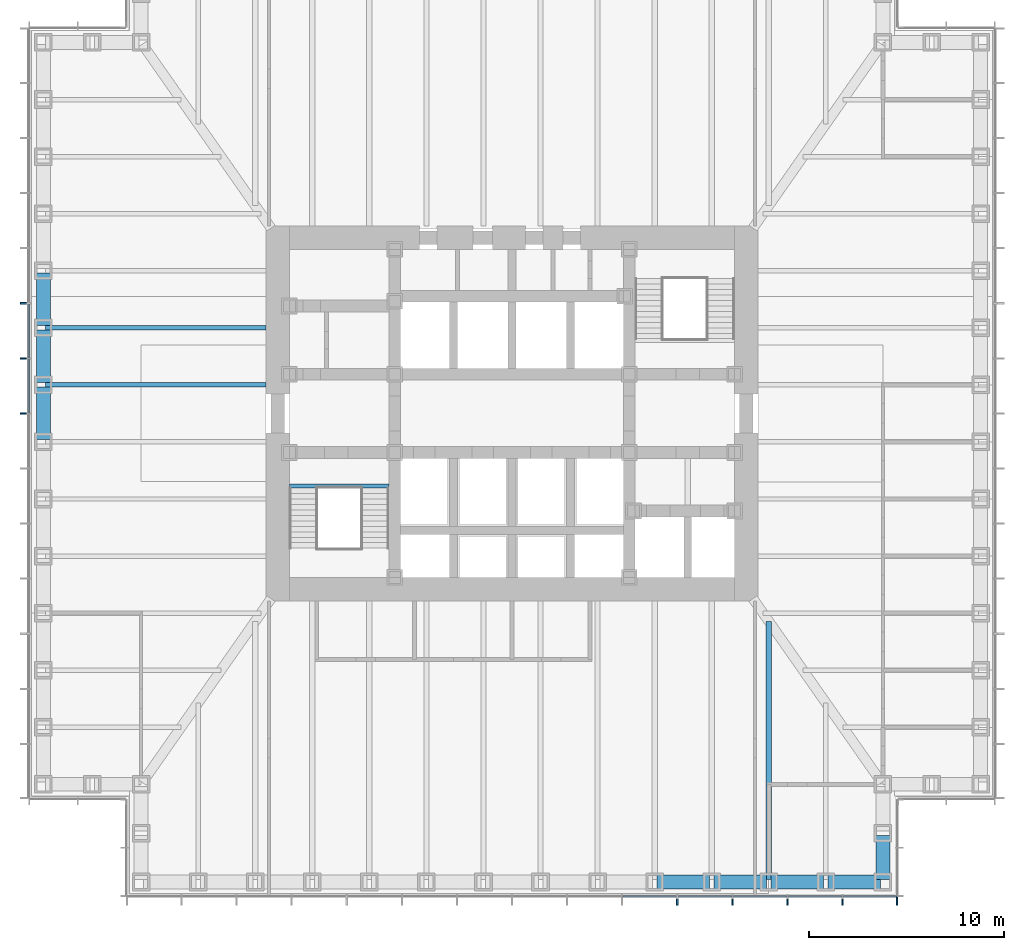
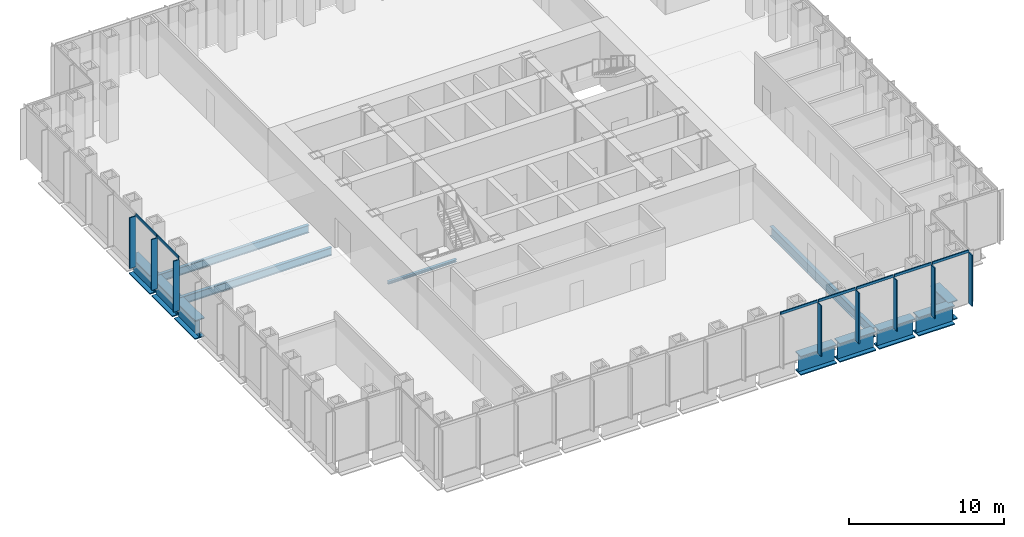
# One storey, part 3 of 16: 15 members, 12 beams, 2 elements without a shape of their own.
"""IFC4 building model written with IfcOpenShell, lengths in metres."""

import ifcopenshell
import ifcopenshell.guid

model = None  # the IFC model being written
_history = None  # IfcOwnerHistory: only IFC2X3 demands one
_inside = {}  # id of a spatial element -> (the spatial element, [elements in it])
_under = {}  # id of a project, library or spatial element -> (it, [spatial elements below it])
_declared = {}  # id of a project -> (the project, [libraries it declares])
_typed = {}  # id of a type object -> (the type object, [elements of that type])
_made_of = {}  # id of a material, layer set ... -> (it, [elements and type objects made of it])


def new_model(schema):
    """Start an empty IFC model of exactly this schema.

    Asked for "IFC4X3", IfcOpenShell would pick the latest addendum, in which some entities
    have other attributes; the version numbers below select the first issue.
    IFC2X3 requires an IfcOwnerHistory on every rooted entity: one is made here for all.
    """
    global model, _history
    if schema == "IFC4X3":
        model = ifcopenshell.file(schema_version=(4, 3, 0, 0))
    else:
        model = ifcopenshell.file(schema=schema)
    _inside.clear()
    _under.clear()
    _declared.clear()
    _typed.clear()
    _made_of.clear()
    _history = None
    if model.schema == "IFC2X3":
        org = make("IfcOrganization", Name="unknown")
        user = make(
            "IfcPersonAndOrganization",
            ThePerson=make("IfcPerson", FamilyName="unknown"),
            TheOrganization=org,
        )
        app = make(
            "IfcApplication",
            ApplicationDeveloper=org,
            Version="unknown",
            ApplicationFullName="unknown",
            ApplicationIdentifier="unknown",
        )
        _history = make(
            "IfcOwnerHistory",
            OwningUser=user,
            OwningApplication=app,
            ChangeAction="ADDED",
            CreationDate=0,
        )
    return model


def make(cls, **values):
    """One entity of the class cls with the attributes given. An attribute that is None is left unset."""
    return model.create_entity(
        cls, **{name: value for name, value in values.items() if value is not None}
    )


def rooted(cls, **values):
    """An entity with a GlobalId (a new one), such as an element, a storey or a relation."""
    return make(cls, GlobalId=ifcopenshell.guid.new(), OwnerHistory=_history, **values)


def si_unit(unit_type, name, prefix=None):
    """IfcSIUnit, for example si_unit("LENGTHUNIT", "METRE", prefix="MILLI")."""
    return make("IfcSIUnit", UnitType=unit_type, Prefix=prefix, Name=name)


def assignment(units):
    """IfcUnitAssignment: the units of a project."""
    return None if units is None else make("IfcUnitAssignment", Units=units)


def point(xyz):
    """IfcCartesianPoint."""
    return None if xyz is None else make("IfcCartesianPoint", Coordinates=xyz)


def direction(xyz):
    """IfcDirection."""
    return None if xyz is None else make("IfcDirection", DirectionRatios=xyz)


def frame(location, z_axis=None, x_axis=None):
    """IfcAxis2Placement3D, a coordinate frame: its origin and axes. An axis left out is left unset."""
    return make(
        "IfcAxis2Placement3D",
        Location=point(location),
        Axis=direction(z_axis),
        RefDirection=direction(x_axis),
    )


def frame_2d(location, x_axis=None):
    """IfcAxis2Placement2D, a coordinate frame in the plane: its origin and x axis."""
    return make(
        "IfcAxis2Placement2D", Location=point(location), RefDirection=direction(x_axis)
    )


def origin():
    """The frame at (0, 0, 0) with its axes left unset."""
    return frame((0.0, 0.0, 0.0))


def origin_2d():
    """The frame at (0, 0) in the plane with its x axis left unset."""
    return frame_2d((0.0, 0.0))


def place(relative_to, where):
    """IfcLocalPlacement: puts the frame where relative to a parent placement (None: the world)."""
    return make(
        "IfcLocalPlacement", PlacementRelTo=relative_to, RelativePlacement=where
    )


def context(
    kind, dimensions, precision=None, world=None, true_north=None, identifier=None
):
    """IfcGeometricRepresentationContext, for example the 3D "Model" context."""
    return make(
        "IfcGeometricRepresentationContext",
        ContextIdentifier=identifier,
        ContextType=kind,
        CoordinateSpaceDimension=dimensions,
        Precision=precision,
        WorldCoordinateSystem=world,
        TrueNorth=true_north,
    )


def subcontext(parent, identifier, kind, view, scale=None):
    """IfcGeometricRepresentationSubContext, for example "Body" below "Model"."""
    return make(
        "IfcGeometricRepresentationSubContext",
        ContextIdentifier=identifier,
        ContextType=kind,
        ParentContext=parent,
        TargetScale=scale,
        TargetView=view,
    )


def project(units=None, contexts=None):
    """IfcProject with its units and contexts."""
    return rooted(
        "IfcProject",
        Name="project",
        RepresentationContexts=contexts,
        UnitsInContext=assignment(units),
    )


def spatial(cls, under=None, at=None, **own):
    """A site, building, storey or space (cls), placed at a placement, below another one or the project."""
    s = rooted(cls, ObjectPlacement=at, **own)
    if under is not None:
        _under.setdefault(under.id(), (under, []))[1].append(s)
    return s


def profile(cls, at=None, kind="AREA", **sizes):
    """A parametric profile (cls). Its sizes go by their IFC names, for example OverallWidth=200.0."""
    return make(cls, ProfileType=kind, Position=at, **sizes)


def rectangle(**sizes):
    """IfcRectangleProfileDef."""
    return profile("IfcRectangleProfileDef", **sizes)


def i_section(**sizes):
    """IfcIShapeProfileDef."""
    return profile("IfcIShapeProfileDef", **sizes)


def extrude(swept, where, along, depth):
    """IfcExtrudedAreaSolid: the profile swept, set in the frame where, extruded along a direction by depth."""
    return make(
        "IfcExtrudedAreaSolid",
        SweptArea=swept,
        Position=where,
        ExtrudedDirection=direction(along),
        Depth=depth,
    )


def shape(context_of_items, identifier, shape_type, items):
    """IfcShapeRepresentation: the items that make up one representation, for example the "Body"."""
    return make(
        "IfcShapeRepresentation",
        ContextOfItems=context_of_items,
        RepresentationIdentifier=identifier,
        RepresentationType=shape_type,
        Items=items,
    )


def material(Name=None, Category=None):
    """IfcMaterial."""
    return make("IfcMaterial", Name=Name, Category=Category)


def material_profile(
    of_material, cross_section, Name=None, Category=None, Priority=None
):
    """IfcMaterialProfile: a cross section and its material."""
    return make(
        "IfcMaterialProfile",
        Name=Name,
        Material=of_material,
        Profile=cross_section,
        Priority=Priority,
        Category=Category,
    )


def profile_set(profiles, Name=None, composite=None):
    """IfcMaterialProfileSet."""
    return make(
        "IfcMaterialProfileSet",
        Name=Name,
        MaterialProfiles=profiles,
        CompositeProfile=composite,
    )


def made_of(thing, what):
    """Note that an element or type object is made of a material, layer set ...; save() writes the relation."""
    if what is not None:
        _made_of.setdefault(what.id(), (what, []))[1].append(thing)
    return thing


def type_object(cls, material=None, **own):
    """A type object (cls), such as IfcWallType, which elements share."""
    return made_of(rooted(cls, **own), material)


def element(
    cls,
    number,
    at=None,
    inside=None,
    cuts=None,
    type_object=None,
    material=None,
    context=None,
    identifier="Body",
    shape_type=None,
    held_by="IfcProductDefinitionShape",
    body=None,
    shapes=None,
    **own,
):
    """One element of the class cls, such as IfcWall. Its Tag is "e" and its number.

    at: its placement. inside: the storey or other place that contains it. cuts: it is an
    opening in that element (IfcRelVoidsElement). A single representation is given by context,
    identifier, shape_type and body (its items); several are given by shapes. held_by: the class
    of the entity that holds the representations. save() writes the other relations.
    """
    e = rooted(cls, Tag="e%d" % number, ObjectPlacement=at, **own)
    if body is not None:
        shapes = [shape(context, identifier, shape_type, body)]
    if shapes is not None:
        e.Representation = make(held_by, Representations=shapes)
    if inside is not None:
        _inside.setdefault(inside.id(), (inside, []))[1].append(e)
    if cuts is not None:
        rooted(
            "IfcRelVoidsElement", RelatingBuildingElement=cuts, RelatedOpeningElement=e
        )
    if type_object is not None:
        _typed.setdefault(type_object.id(), (type_object, []))[1].append(e)
    return made_of(e, material)


def aggregate(whole, parts):
    """IfcRelAggregates: a whole, such as a stair, and the parts it consists of."""
    return rooted("IfcRelAggregates", RelatingObject=whole, RelatedObjects=parts)


def save(model, path):
    """Write the relations noted so far, then the file.

    IfcRelAggregates (storeys below a building ...), IfcRelContainedInSpatialStructure (elements
    in a storey), IfcRelDefinesByType, IfcRelAssociatesMaterial and IfcRelDeclares: one each for
    every whole, place, type object, material and project.
    """
    for whole, parts in _under.values():
        aggregate(whole, parts)
    for where, things in _inside.values():
        rooted(
            "IfcRelContainedInSpatialStructure",
            RelatedElements=things,
            RelatingStructure=where,
        )
    for kind, things in _typed.values():
        rooted("IfcRelDefinesByType", RelatedObjects=things, RelatingType=kind)
    for what, things in _made_of.values():
        rooted("IfcRelAssociatesMaterial", RelatedObjects=things, RelatingMaterial=what)
    for by, libraries in _declared.values():
        rooted("IfcRelDeclares", RelatingContext=by, RelatedDefinitions=libraries)
    model.write(path)


model = new_model("IFC4")

# Units and contexts
model_context = context("Model", 3, precision=1e-05, world=origin(), true_north=direction((0.0, 1.0)))
body_context = subcontext(model_context, "Body", "Model", "MODEL_VIEW")
ifc_project = project(units=[si_unit("LENGTHUNIT", "METRE"), si_unit("AREAUNIT", "SQUARE_METRE"), si_unit("VOLUMEUNIT", "CUBIC_METRE"), si_unit("PLANEANGLEUNIT", "RADIAN"), si_unit("MASSUNIT", "GRAM", prefix="KILO")], contexts=[model_context])

# Site, building, storey
site_placement = place(None, origin())
site = spatial("IfcSite", under=ifc_project, at=site_placement, CompositionType="ELEMENT")
building_placement = place(site_placement, origin())
building = spatial("IfcBuilding", under=site, at=building_placement, Name="Daluyong Arena Tower", CompositionType="ELEMENT")
storey_placement = place(building_placement, frame((0.0, 0.0, 72.699951171875)))
storey = spatial("IfcBuildingStorey", under=building, at=storey_placement, Name="L15", CompositionType="ELEMENT", Elevation=72.699951171875)

# Curtain wall, members
ifc_material_1 = material(Name="Bronze anodised aluminium and glass", Category="aluminium")
curtain_wall_type = type_object("IfcCurtainWallType", Name="Curtain wall CW1", PredefinedType="USERDEFINED", material=ifc_material_1)
curtain_wall_1_placement = place(storey_placement, origin())
curtain_wall_1 = element("IfcCurtainWall", 1, at=curtain_wall_1_placement, inside=storey, type_object=curtain_wall_type, Name="curtain wall L15 S", ObjectType="UNITISED CURTAIN WALL", PredefinedType="USERDEFINED")
ifc_material_2 = material(Name="Bronze anodised aluminium fin", Category="aluminium")
ifc_material_profile_1 = material_profile(ifc_material_2, rectangle(XDim=0.449951171875, YDim=0.080078125, at=origin_2d()))
ifc_profile_set_1 = profile_set([ifc_material_profile_1], Name="Bronze anodised aluminium fin")
member_type_1 = type_object("IfcMemberType", Name="CW1 bronze fin 450x80", PredefinedType="MULLION", material=ifc_profile_set_1)
member_1_placement = place(storey_placement, frame((64.46435546875, 55.02490234375, 0.0), z_axis=(0.0, 0.0, 1.0), x_axis=(0.0, 1.0, 0.0)))
member_1 = element("IfcMember", 2, at=member_1_placement, type_object=member_type_1, Name="curtain wall L15 S fin 11", PredefinedType="MULLION", context=body_context, shape_type="SweptSolid", body=[
    extrude(rectangle(XDim=0.449951171875, YDim=0.080078125, at=origin_2d()), origin(), (0.0, 0.0, 1.0), 4.0),
])
member_2_placement = place(storey_placement, frame((67.28564453125, 55.02490234375, 0.0), z_axis=(0.0, 0.0, 1.0), x_axis=(0.0, 1.0, 0.0)))
member_2 = element("IfcMember", 3, at=member_2_placement, type_object=member_type_1, Name="curtain wall L15 S fin 12", PredefinedType="MULLION", context=body_context, shape_type="SweptSolid", body=[
    extrude(rectangle(XDim=0.449951171875, YDim=0.080078125, at=origin_2d()), origin(), (0.0, 0.0, 1.0), 4.0),
])
member_3_placement = place(storey_placement, frame((70.107177734375, 55.02490234375, 0.0), z_axis=(0.0, 0.0, 1.0), x_axis=(0.0, 1.0, 0.0)))
member_3 = element("IfcMember", 4, at=member_3_placement, type_object=member_type_1, Name="curtain wall L15 S fin 13", PredefinedType="MULLION", context=body_context, shape_type="SweptSolid", body=[
    extrude(rectangle(XDim=0.449951171875, YDim=0.080078125, at=origin_2d()), origin(), (0.0, 0.0, 1.0), 4.0),
])
member_4_placement = place(storey_placement, frame((72.928466796875, 55.02490234375, 0.0), z_axis=(0.0, 0.0, 1.0), x_axis=(0.0, 1.0, 0.0)))
member_4 = element("IfcMember", 5, at=member_4_placement, type_object=member_type_1, Name="curtain wall L15 S fin 14", PredefinedType="MULLION", context=body_context, shape_type="SweptSolid", body=[
    extrude(rectangle(XDim=0.449951171875, YDim=0.080078125, at=origin_2d()), origin(), (0.0, 0.0, 1.0), 4.0),
])
member_5_placement = place(storey_placement, frame((75.7099609375, 55.02490234375, 0.0), z_axis=(0.0, 0.0, 1.0), x_axis=(0.0, 1.0, 0.0)))
member_5 = element("IfcMember", 6, at=member_5_placement, type_object=member_type_1, Name="curtain wall L15 S fin 15", PredefinedType="MULLION", context=body_context, shape_type="SweptSolid", body=[
    extrude(rectangle(XDim=0.449951171875, YDim=0.080078125, at=origin_2d()), origin(), (0.0, 0.0, 1.0), 4.0),
])

curtain_wall_2_placement = place(storey_placement, origin())
curtain_wall_2 = element("IfcCurtainWall", 7, at=curtain_wall_2_placement, inside=storey, type_object=curtain_wall_type, Name="curtain wall L15 W", ObjectType="UNITISED CURTAIN WALL", PredefinedType="USERDEFINED")
member_6_placement = place(storey_placement, frame((31.02490234375, 85.642822265625, 0.0), z_axis=(0.0, 0.0, 1.0), x_axis=(1.0, 0.0, 0.0)))
member_6 = element("IfcMember", 8, at=member_6_placement, type_object=member_type_1, Name="curtain wall L15 W fin 6", PredefinedType="MULLION", context=body_context, shape_type="SweptSolid", body=[
    extrude(rectangle(XDim=0.449951171875, YDim=0.080078125, at=origin_2d()), origin(), (0.0, 0.0, 1.0), 4.0),
])
member_7_placement = place(storey_placement, frame((31.02490234375, 82.821533203125, 0.0), z_axis=(0.0, 0.0, 1.0), x_axis=(1.0, 0.0, 0.0)))
member_7 = element("IfcMember", 9, at=member_7_placement, type_object=member_type_1, Name="curtain wall L15 W fin 7", PredefinedType="MULLION", context=body_context, shape_type="SweptSolid", body=[
    extrude(rectangle(XDim=0.449951171875, YDim=0.080078125, at=origin_2d()), origin(), (0.0, 0.0, 1.0), 4.0),
])
member_8_placement = place(storey_placement, frame((31.02490234375, 80.0, 0.0), z_axis=(0.0, 0.0, 1.0), x_axis=(1.0, 0.0, 0.0)))
member_8 = element("IfcMember", 10, at=member_8_placement, type_object=member_type_1, Name="curtain wall L15 W fin 8", PredefinedType="MULLION", context=body_context, shape_type="SweptSolid", body=[
    extrude(rectangle(XDim=0.449951171875, YDim=0.080078125, at=origin_2d()), origin(), (0.0, 0.0, 1.0), 4.0),
])

# Member
ifc_material_3 = material(Name="Bronze anodised aluminium", Category="aluminium")
ifc_material_profile_2 = material_profile(ifc_material_3, rectangle(XDim=0.080078125, YDim=0.199951171875, at=origin_2d()))
ifc_profile_set_2 = profile_set([ifc_material_profile_2], Name="Bronze anodised aluminium")
member_type_2 = type_object("IfcMemberType", Name="CW1 stack transom 200x80", PredefinedType="USERDEFINED", material=ifc_profile_set_2)
member_9_placement = place(storey_placement, frame((61.682861328125, 55.25, 4.10009765625), z_axis=(1.0, 0.0, 0.0), x_axis=(0.0, 1.0, 0.0)))
member_9 = element("IfcMember", 11, at=member_9_placement, type_object=member_type_2, Name="curtain wall L15 S transom 10", ObjectType="TRANSOM", PredefinedType="USERDEFINED", context=body_context, shape_type="SweptSolid", body=[
    extrude(rectangle(XDim=0.080078125, YDim=0.199951171875, at=origin_2d()), origin(), (0.0, 0.0, 1.0), 2.741455078125),
])

member_10_placement = place(storey_placement, frame((64.50439453125, 55.25, 4.10009765625), z_axis=(1.0, 0.0, 0.0), x_axis=(0.0, 1.0, 0.0)))
member_10 = element("IfcMember", 12, at=member_10_placement, type_object=member_type_2, Name="curtain wall L15 S transom 11", ObjectType="TRANSOM", PredefinedType="USERDEFINED", context=body_context, shape_type="SweptSolid", body=[
    extrude(rectangle(XDim=0.080078125, YDim=0.199951171875, at=origin_2d()), origin(), (0.0, 0.0, 1.0), 2.7412109375),
])

member_11_placement = place(storey_placement, frame((67.32568359375, 55.25, 4.10009765625), z_axis=(1.0, 0.0, 0.0), x_axis=(0.0, 1.0, 0.0)))
member_11 = element("IfcMember", 13, at=member_11_placement, type_object=member_type_2, Name="curtain wall L15 S transom 12", ObjectType="TRANSOM", PredefinedType="USERDEFINED", context=body_context, shape_type="SweptSolid", body=[
    extrude(rectangle(XDim=0.080078125, YDim=0.199951171875, at=origin_2d()), origin(), (0.0, 0.0, 1.0), 2.741455078125),
])

member_12_placement = place(storey_placement, frame((70.147216796875, 55.25, 4.10009765625), z_axis=(1.0, 0.0, 0.0), x_axis=(0.0, 1.0, 0.0)))
member_12 = element("IfcMember", 14, at=member_12_placement, type_object=member_type_2, Name="curtain wall L15 S transom 13", ObjectType="TRANSOM", PredefinedType="USERDEFINED", context=body_context, shape_type="SweptSolid", body=[
    extrude(rectangle(XDim=0.080078125, YDim=0.199951171875, at=origin_2d()), origin(), (0.0, 0.0, 1.0), 2.741455078125),
])

member_13_placement = place(storey_placement, frame((72.968505859375, 55.25, 4.10009765625), z_axis=(1.0, 0.0, 0.0), x_axis=(0.0, 1.0, 0.0)))
member_13 = element("IfcMember", 15, at=member_13_placement, type_object=member_type_2, Name="curtain wall L15 S transom 14", ObjectType="TRANSOM", PredefinedType="USERDEFINED", context=body_context, shape_type="SweptSolid", body=[
    extrude(rectangle(XDim=0.080078125, YDim=0.199951171875, at=origin_2d()), origin(), (0.0, 0.0, 1.0), 2.701416015625),
])

aggregate(curtain_wall_1, [member_1, member_2, member_3, member_4, member_5, member_9, member_10, member_11, member_12, member_13])

member_14_placement = place(storey_placement, frame((31.25, 85.602783203125, 4.10009765625), z_axis=(0.0, -1.0, 0.0), x_axis=(1.0, 0.0, 0.0)))
member_14 = element("IfcMember", 16, at=member_14_placement, type_object=member_type_2, Name="curtain wall L15 W transom 6", ObjectType="TRANSOM", PredefinedType="USERDEFINED", context=body_context, shape_type="SweptSolid", body=[
    extrude(rectangle(XDim=0.080078125, YDim=0.199951171875, at=origin_2d()), origin(), (0.0, 0.0, 1.0), 2.741455078125),
])

member_15_placement = place(storey_placement, frame((31.25, 82.781494140625, 4.10009765625), z_axis=(0.0, -1.0, 0.0), x_axis=(1.0, 0.0, 0.0)))
member_15 = element("IfcMember", 17, at=member_15_placement, type_object=member_type_2, Name="curtain wall L15 W transom 7", ObjectType="TRANSOM", PredefinedType="USERDEFINED", context=body_context, shape_type="SweptSolid", body=[
    extrude(rectangle(XDim=0.080078125, YDim=0.199951171875, at=origin_2d()), origin(), (0.0, 0.0, 1.0), 2.741455078125),
])

aggregate(curtain_wall_2, [member_6, member_7, member_8, member_14, member_15])

# Beams
ifc_material_4 = material(Name="Steel ASTM A992 Grade 50", Category="steel")
ifc_material_profile_3 = material_profile(ifc_material_4, i_section(OverallWidth=0.22900390625, OverallDepth=0.612060546875, WebThickness=0.011962890625, FlangeThickness=0.01953125, at=origin_2d()))
ifc_profile_set_3 = profile_set([ifc_material_profile_3], Name="Steel ASTM A992 Grade 50")
beam_type_1 = type_object("IfcBeamType", Name="Floor beam W24X84", PredefinedType="BEAM", material=ifc_profile_set_3)
for number, where, z_axis, x_axis, name in (
    (18, (32.114990234375, 84.384521484375, -0.466064453125), (1.0, 0.0, 0.0), (0.0, 1.0, 0.0), "floor beam FB3"),
    (19, (32.114990234375, 81.46142578125, -0.466064453125), (1.0, 0.0, 0.0), (0.0, 1.0, 0.0), "floor beam FB3"),
):
    element("IfcBeam", number, at=place(storey_placement, frame(where, z_axis=z_axis, x_axis=x_axis)), inside=storey, type_object=beam_type_1, Name=name, PredefinedType="BEAM", context=body_context, shape_type="SweptSolid", body=[
        extrude(i_section(OverallWidth=0.22900390625, OverallDepth=0.612060546875, WebThickness=0.011962890625, FlangeThickness=0.01953125, at=origin_2d()), origin(), (0.0, 0.0, 1.0), 11.284912109375),
    ])
ifc_material_5 = material(Name="Steel ASTM A992 Grade 50", Category="steel")
ifc_material_profile_4 = material_profile(ifc_material_5, i_section(OverallWidth=0.2666015625, OverallDepth=0.761962890625, WebThickness=0.014404296875, FlangeThickness=0.021484375, at=origin_2d()))
ifc_profile_set_4 = profile_set([ifc_material_profile_4], Name="Steel ASTM A992 Grade 50")
beam_type_2 = type_object("IfcBeamType", Name="Floor beam W30X116", PredefinedType="BEAM", material=ifc_profile_set_4)
beam_1_placement = place(storey_placement, frame((69.15380859375, 56.114990234375, -0.541015625), z_axis=(0.0, 1.0, 0.0), x_axis=(-1.0, 0.0, 0.0)))
element("IfcBeam", 20, at=beam_1_placement, inside=storey, type_object=beam_type_2, Name="floor beam FB4", PredefinedType="BEAM", context=body_context, shape_type="SweptSolid", body=[
    extrude(i_section(OverallWidth=0.2666015625, OverallDepth=0.761962890625, WebThickness=0.014404296875, FlangeThickness=0.021484375, at=origin_2d()), origin(), (0.0, 0.0, 1.0), 13.236572265625),
])
ifc_material_6 = material(Name="Steel ASTM A572 Grade 50", Category="steel")
ifc_material_profile_5 = material_profile(ifc_material_6, i_section(OverallWidth=0.699951171875, OverallDepth=1.5, WebThickness=0.04, FlangeThickness=0.08, at=origin_2d()))
ifc_profile_set_5 = profile_set([ifc_material_profile_5], Name="Steel ASTM A572 Grade 50")
beam_type_3 = type_object("IfcBeamType", Name="Spandrel Z1 PG1500X700", PredefinedType="SPANDREL", material=ifc_profile_set_5)
for number, where, z_axis, x_axis, name in (
    (21, (63.422607421875, 56.0, -0.909912109375), (1.0, 0.0, 0.0), (0.0, 1.0, 0.0), "spandrel z1 SB4"),
    (22, (66.345703125, 56.0, -0.909912109375), (1.0, 0.0, 0.0), (0.0, 1.0, 0.0), "spandrel z1 SB4"),
    (23, (69.268798828125, 56.0, -0.909912109375), (1.0, 0.0, 0.0), (0.0, 1.0, 0.0), "spandrel z1 SB4"),
    (24, (72.19189453125, 56.0, -0.909912109375), (1.0, 0.0, 0.0), (0.0, 1.0, 0.0), "spandrel z1 SB4"),
):
    element("IfcBeam", number, at=place(storey_placement, frame(where, z_axis=z_axis, x_axis=x_axis)), inside=storey, type_object=beam_type_3, Name=name, PredefinedType="SPANDREL", context=body_context, shape_type="SweptSolid", body=[
        extrude(i_section(OverallWidth=0.699951171875, OverallDepth=1.5, WebThickness=0.04, FlangeThickness=0.08, at=origin_2d()), origin(), (0.0, 0.0, 1.0), 2.693115234375),
    ])
beam_2_placement = place(storey_placement, frame((75.0, 56.114990234375, -0.909912109375), z_axis=(0.0, 1.0, 0.0), x_axis=(-1.0, 0.0, 0.0)))
element("IfcBeam", 25, at=beam_2_placement, inside=storey, type_object=beam_type_3, Name="spandrel z1 SB4", PredefinedType="SPANDREL", context=body_context, shape_type="SweptSolid", body=[
    extrude(i_section(OverallWidth=0.699951171875, OverallDepth=1.5, WebThickness=0.04, FlangeThickness=0.08, at=origin_2d()), origin(), (0.0, 0.0, 1.0), 2.27001953125),
])
for number, where, z_axis, x_axis, name in (
    (26, (32.0, 87.192626953125, -0.909912109375), (0.0, -1.0, 0.0), (1.0, 0.0, 0.0), "spandrel z1 SB4"),
    (27, (32.0, 84.26953125, -0.909912109375), (0.0, -1.0, 0.0), (1.0, 0.0, 0.0), "spandrel z1 SB4"),
):
    element("IfcBeam", number, at=place(storey_placement, frame(where, z_axis=z_axis, x_axis=x_axis)), inside=storey, type_object=beam_type_3, Name=name, PredefinedType="SPANDREL", context=body_context, shape_type="SweptSolid", body=[
        extrude(i_section(OverallWidth=0.699951171875, OverallDepth=1.5, WebThickness=0.04, FlangeThickness=0.08, at=origin_2d()), origin(), (0.0, 0.0, 1.0), 2.693115234375),
    ])
beam_3_placement = place(storey_placement, frame((32.0, 81.346435546875, -0.909912109375), z_axis=(0.0, -1.0, 0.0), x_axis=(1.0, 0.0, 0.0)))
element("IfcBeam", 28, at=beam_3_placement, inside=storey, type_object=beam_type_3, Name="spandrel z1 SB4", PredefinedType="SPANDREL", context=body_context, shape_type="SweptSolid", body=[
    extrude(i_section(OverallWidth=0.699951171875, OverallDepth=1.5, WebThickness=0.04, FlangeThickness=0.08, at=origin_2d()), origin(), (0.0, 0.0, 1.0), 2.69287109375),
])
ifc_material_7 = material(Name="Steel ASTM A992 Grade 50", Category="steel")
ifc_material_profile_6 = material_profile(ifc_material_7, i_section(OverallWidth=0.203125, OverallDepth=0.203125, WebThickness=0.00732421875, FlangeThickness=0.010986328125, at=origin_2d()))
ifc_profile_set_6 = profile_set([ifc_material_profile_6], Name="Steel ASTM A992 Grade 50")
beam_type_4 = type_object("IfcBeamType", Name="Stair landing beam W8X31", PredefinedType="BEAM", material=ifc_profile_set_6)
beam_4_placement = place(storey_placement, frame((44.60009765625, 76.276611328125, -0.261474609375), z_axis=(1.0, 0.0, 0.0), x_axis=(0.0, 1.0, 0.0)))
element("IfcBeam", 29, at=beam_4_placement, inside=storey, type_object=beam_type_4, Name="exit stair A landing beam", PredefinedType="BEAM", context=body_context, shape_type="SweptSolid", body=[
    extrude(i_section(OverallWidth=0.203125, OverallDepth=0.203125, WebThickness=0.00732421875, FlangeThickness=0.010986328125, at=origin_2d()), origin(), (0.0, 0.0, 1.0), 5.099853515625),
])

save(model, "model.ifc")
